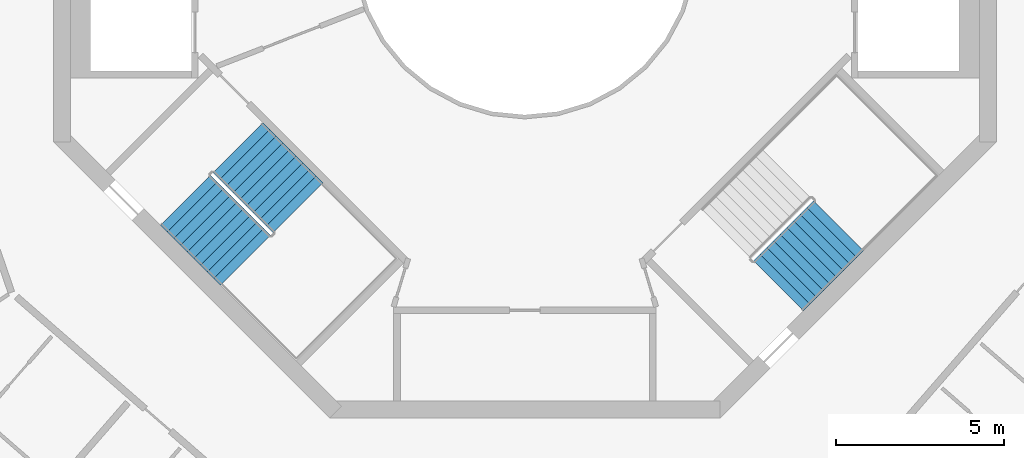
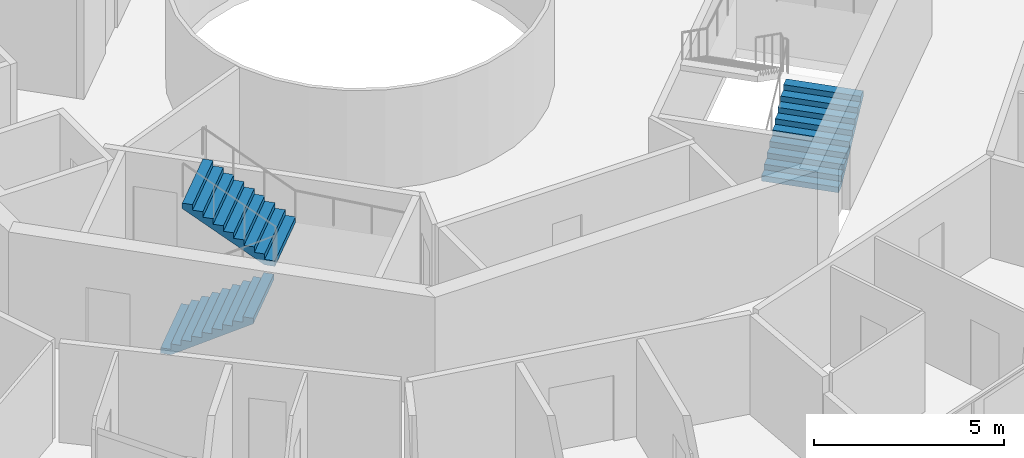
# One storey, part 20 of 22: 3 stair flights, 2 elements without a shape of their own.
"""IFC4 building model written with IfcOpenShell, lengths in metres."""

from ifc_helpers import new_model, si_unit, direction, frame, origin, place, context, subcontext, project, spatial, triangles, material, type_object, element, aggregate, save


model = new_model("IFC4")

# Units and contexts
model_context = context("Model", 3, precision=1e-05, world=origin(), true_north=direction((0.0, 1.0)))
body_context = subcontext(model_context, "Body", "Model", "MODEL_VIEW")
ifc_project = project(units=[si_unit("LENGTHUNIT", "METRE"), si_unit("AREAUNIT", "SQUARE_METRE"), si_unit("VOLUMEUNIT", "CUBIC_METRE"), si_unit("PLANEANGLEUNIT", "RADIAN"), si_unit("MASSUNIT", "GRAM", prefix="KILO")], contexts=[model_context])

# Site, building, storey
site_placement = place(None, origin())
site = spatial("IfcSite", under=ifc_project, at=site_placement, CompositionType="ELEMENT")
building_placement = place(site_placement, origin())
building = spatial("IfcBuilding", under=site, at=building_placement, Name="Verdalira Terraces Hotel", CompositionType="ELEMENT")
storey_placement = place(building_placement, frame((0.0, 0.0, 234.0)))
storey = spatial("IfcBuildingStorey", under=building, at=storey_placement, Name="L57", CompositionType="ELEMENT", Elevation=234.0)

# Stair, stair flights
ifc_material_1 = material(Name="Concrete C40", Category="concrete")
stair_type = type_object("IfcStairType", Name="Core stair 20 risers 2100 mm wide", PredefinedType="HALF_TURN_STAIR", material=ifc_material_1)
stair_1_placement = place(storey_placement, origin())
stair_1 = element("IfcStair", 1, at=stair_1_placement, inside=storey, type_object=stair_type, Name="L57 Exit stair ST2", PredefinedType="HALF_TURN_STAIR")
ifc_material_2 = material(Name="Concrete C40", Category="concrete")
stair_flight_type = type_object("IfcStairFlightType", Name="Core stair flight 20 risers 2100 mm wide", PredefinedType="STRAIGHT", material=ifc_material_2)
stair_flight_1_placement = place(storey_placement, frame((-10.076172, -7.530762, 0.0), z_axis=(0.0, 0.0, 1.0), x_axis=(0.707106781, -0.707106781, 0.0)))
stair_flight_1 = element("IfcStairFlight", 2, at=stair_flight_1_placement, type_object=stair_flight_type, Name="ST2 flight 1", NumberOfRisers=10, NumberOfTreads=9, PredefinedType="STRAIGHT", RiserHeight=0.175, TreadLength=0.28, context=body_context, shape_type="Tessellation", body=[
    triangles([(0.0, 1.050049, 0.0), (0.282715, 1.050049, 0.0), (2.52002, 1.050049, 1.398193), (0.0, -1.050049, 0.0), (0.282715, -1.050049, 0.0), (2.52002, -1.050049, 1.398193), (2.52002, 1.050049, 1.574951), (2.23999, 1.050049, 1.574951), (2.52002, -1.050049, 1.574951), (2.23999, -1.050049, 1.574951), (2.23999, 1.050049, 1.399902), (2.23999, -1.050049, 1.399902), (1.959961, 1.050049, 1.399902), (1.959961, -1.050049, 1.399902), (1.959961, 1.050049, 1.225098), (1.959961, -1.050049, 1.225098), (1.679932, 1.050049, 1.225098), (1.679932, 1.050049, 1.050049), (1.679932, -1.050049, 1.225098), (1.679932, -1.050049, 1.050049), (1.399902, 1.050049, 1.050049), (1.399902, 1.050049, 0.875), (1.399902, -1.050049, 1.050049), (1.399902, -1.050049, 0.875), (1.120117, 1.050049, 0.875), (1.120117, 1.050049, 0.699951), (1.120117, -1.050049, 0.875), (1.120117, -1.050049, 0.699951), (0.840088, 1.050049, 0.699951), (0.840088, 1.050049, 0.524902), (0.840088, -1.050049, 0.699951), (0.840088, -1.050049, 0.524902), (0.560059, 1.050049, 0.524902), (0.560059, 1.050049, 0.350098), (0.560059, -1.050049, 0.524902), (0.560059, -1.050049, 0.350098), (0.280029, 1.050049, 0.350098), (0.280029, 1.050049, 0.175049), (0.280029, -1.050049, 0.350098), (0.280029, -1.050049, 0.175049), (0.0, 1.050049, 0.175049), (0.0, -1.050049, 0.175049), (0.0, -0.984421, 0.0), (0.0, -0.984421, 0.175049), (0.0, -0.918793, 0.0), (0.0, -0.918793, 0.175049), (0.0, -0.853165, 0.0), (0.0, -0.853165, 0.175049), (0.0, -0.787537, 0.0), (0.0, -0.787537, 0.175049), (0.0, -0.721909, 0.0), (0.0, -0.721909, 0.175049), (0.0, -0.656281, 0.0), (0.0, -0.656281, 0.175049), (0.0, -0.590652, 0.0), (0.0, -0.590652, 0.175049), (0.0, -0.525024, 0.0), (0.0, -0.525024, 0.175049), (0.0, -0.459396, 0.0), (0.0, -0.459396, 0.175049), (0.0, -0.393768, 0.0), (0.0, -0.393768, 0.175049), (0.0, -0.32814, 0.0), (0.0, -0.32814, 0.175049), (0.0, -0.262512, 0.0), (0.0, -0.262512, 0.175049), (0.0, -0.196884, 0.0), (0.0, -0.196884, 0.175049), (0.0, -0.131256, 0.0), (0.0, -0.131256, 0.175049), (0.0, -0.065628, 0.0), (0.0, -0.065628, 0.175049), (0.0, 0.0, 0.0), (0.0, 0.0, 0.175049), (0.0, 0.065628, 0.0), (0.0, 0.065628, 0.175049), (0.0, 0.131256, 0.0), (0.0, 0.131256, 0.175049), (0.0, 0.196884, 0.0), (0.0, 0.196884, 0.175049), (0.0, 0.262512, 0.0), (0.0, 0.262512, 0.175049), (0.0, 0.32814, 0.0), (0.0, 0.32814, 0.175049), (0.0, 0.393768, 0.0), (0.0, 0.393768, 0.175049), (0.0, 0.459396, 0.0), (0.0, 0.459396, 0.175049), (0.0, 0.525024, 0.0), (0.0, 0.525024, 0.175049), (0.0, 0.590652, 0.0), (0.0, 0.590652, 0.175049), (0.0, 0.656281, 0.0), (0.0, 0.656281, 0.175049), (0.0, 0.721909, 0.0), (0.0, 0.721909, 0.175049), (0.0, 0.787537, 0.0), (0.0, 0.787537, 0.175049), (0.0, 0.853165, 0.0), (0.0, 0.853165, 0.175049), (0.0, 0.918793, 0.0), (0.0, 0.918793, 0.175049), (0.0, 0.984421, 0.0), (0.0, 0.984421, 0.175049), (2.52002, -0.984421, 1.574951), (2.52002, -0.918793, 1.574951), (2.52002, -0.853165, 1.574951), (2.52002, -0.787537, 1.574951), (2.52002, -0.721909, 1.574951), (2.52002, -0.656281, 1.574951), (2.52002, -0.590652, 1.574951), (2.52002, -0.525024, 1.574951), (2.52002, -0.459396, 1.574951), (2.52002, -0.393768, 1.574951), (2.52002, -0.32814, 1.574951), (2.52002, -0.262512, 1.574951), (2.52002, -0.196884, 1.574951), (2.52002, -0.131256, 1.574951), (2.52002, -0.065628, 1.574951), (2.52002, 0.0, 1.574951), (2.52002, 0.065628, 1.574951), (2.52002, 0.131256, 1.574951), (2.52002, 0.196884, 1.574951), (2.52002, 0.262512, 1.574951), (2.52002, 0.32814, 1.574951), (2.52002, 0.393768, 1.574951), (2.52002, 0.459396, 1.574951), (2.52002, 0.525024, 1.574951), (2.52002, 0.590652, 1.574951), (2.52002, 0.656281, 1.574951), (2.52002, 0.721909, 1.574951), (2.52002, 0.787537, 1.574951), (2.52002, 0.853165, 1.574951), (2.52002, 0.918793, 1.574951), (2.52002, 0.984421, 1.574951), (2.52002, -0.984421, 1.398193), (2.52002, -0.918793, 1.398193), (2.52002, -0.853165, 1.398193), (2.52002, -0.787537, 1.398193), (2.52002, -0.721909, 1.398193), (2.52002, -0.656281, 1.398193), (2.52002, -0.590652, 1.398193), (2.52002, -0.525024, 1.398193), (2.52002, -0.459396, 1.398193), (2.52002, -0.393768, 1.398193), (2.52002, -0.32814, 1.398193), (2.52002, -0.262512, 1.398193), (2.52002, -0.196884, 1.398193), (2.52002, -0.131256, 1.398193), (2.52002, -0.065628, 1.398193), (2.52002, 0.0, 1.398193), (2.52002, 0.065628, 1.398193), (2.52002, 0.131256, 1.398193), (2.52002, 0.196884, 1.398193), (2.52002, 0.262512, 1.398193), (2.52002, 0.32814, 1.398193), (2.52002, 0.393768, 1.398193), (2.52002, 0.459396, 1.398193), (2.52002, 0.525024, 1.398193), (2.52002, 0.590652, 1.398193), (2.52002, 0.656281, 1.398193), (2.52002, 0.721909, 1.398193), (2.52002, 0.787537, 1.398193), (2.52002, 0.853165, 1.398193), (2.52002, 0.918793, 1.398193), (2.52002, 0.984421, 1.398193)], [[1, 3, 2], [4, 5, 6], [3, 8, 7], [6, 9, 10], [3, 11, 8], [6, 10, 12], [3, 13, 11], [6, 12, 14], [3, 15, 13], [6, 14, 16], [15, 18, 17], [16, 19, 20], [3, 18, 15], [6, 16, 20], [18, 22, 21], [20, 23, 24], [3, 22, 18], [6, 20, 24], [22, 26, 25], [24, 27, 28], [3, 26, 22], [6, 24, 28], [26, 30, 29], [28, 31, 32], [3, 30, 26], [6, 28, 32], [1, 30, 3], [4, 6, 32], [30, 34, 33], [32, 35, 36], [34, 38, 37], [36, 39, 40], [30, 38, 34], [32, 36, 40], [1, 38, 30], [4, 32, 40], [38, 1, 41], [40, 42, 4], [4, 44, 43], [4, 42, 44], [43, 46, 45], [43, 44, 46], [45, 48, 47], [45, 46, 48], [47, 50, 49], [47, 48, 50], [49, 52, 51], [49, 50, 52], [51, 54, 53], [51, 52, 54], [53, 56, 55], [53, 54, 56], [55, 58, 57], [55, 56, 58], [57, 60, 59], [57, 58, 60], [59, 62, 61], [59, 60, 62], [61, 64, 63], [61, 62, 64], [63, 66, 65], [63, 64, 66], [65, 68, 67], [65, 66, 68], [67, 70, 69], [67, 68, 70], [69, 72, 71], [69, 70, 72], [71, 74, 73], [71, 72, 74], [73, 76, 75], [73, 74, 76], [75, 78, 77], [75, 76, 78], [77, 80, 79], [77, 78, 80], [79, 82, 81], [79, 80, 82], [81, 84, 83], [81, 82, 84], [83, 86, 85], [83, 84, 86], [85, 88, 87], [85, 86, 88], [87, 90, 89], [87, 88, 90], [89, 92, 91], [89, 90, 92], [91, 94, 93], [91, 92, 94], [93, 96, 95], [93, 94, 96], [95, 98, 97], [95, 96, 98], [97, 100, 99], [97, 98, 100], [99, 102, 101], [99, 100, 102], [101, 104, 103], [101, 102, 104], [103, 41, 1], [103, 104, 41], [42, 40, 44], [44, 40, 46], [46, 40, 48], [48, 40, 50], [50, 40, 52], [52, 40, 54], [54, 40, 56], [56, 40, 58], [58, 40, 60], [60, 40, 62], [62, 40, 64], [64, 40, 66], [66, 40, 68], [68, 40, 70], [70, 40, 72], [72, 40, 74], [74, 40, 76], [76, 40, 78], [78, 40, 80], [80, 40, 82], [82, 40, 84], [84, 40, 86], [86, 40, 88], [88, 40, 90], [90, 40, 92], [92, 40, 94], [94, 40, 96], [96, 40, 98], [98, 40, 100], [100, 40, 102], [102, 40, 104], [104, 40, 41], [41, 40, 38], [40, 37, 38], [40, 39, 37], [39, 34, 37], [39, 36, 34], [36, 33, 34], [36, 35, 33], [35, 30, 33], [35, 32, 30], [32, 29, 30], [32, 31, 29], [31, 26, 29], [31, 28, 26], [28, 25, 26], [28, 27, 25], [27, 22, 25], [27, 24, 22], [24, 21, 22], [24, 23, 21], [23, 18, 21], [23, 20, 18], [20, 17, 18], [20, 19, 17], [19, 15, 17], [19, 16, 15], [16, 13, 15], [16, 14, 13], [14, 11, 13], [14, 12, 11], [12, 8, 11], [12, 10, 8], [9, 105, 10], [105, 106, 10], [106, 107, 10], [107, 108, 10], [108, 109, 10], [109, 110, 10], [110, 111, 10], [111, 112, 10], [112, 113, 10], [113, 114, 10], [114, 115, 10], [115, 116, 10], [116, 117, 10], [117, 118, 10], [118, 119, 10], [119, 120, 10], [120, 121, 10], [121, 122, 10], [122, 123, 10], [123, 124, 10], [124, 125, 10], [125, 126, 10], [126, 127, 10], [127, 128, 10], [128, 129, 10], [129, 130, 10], [130, 131, 10], [131, 132, 10], [132, 133, 10], [133, 134, 10], [134, 135, 10], [135, 7, 10], [7, 8, 10], [9, 136, 105], [9, 6, 136], [105, 137, 106], [105, 136, 137], [106, 138, 107], [106, 137, 138], [107, 139, 108], [107, 138, 139], [108, 140, 109], [108, 139, 140], [109, 141, 110], [109, 140, 141], [110, 142, 111], [110, 141, 142], [111, 143, 112], [111, 142, 143], [112, 144, 113], [112, 143, 144], [113, 145, 114], [113, 144, 145], [114, 146, 115], [114, 145, 146], [115, 147, 116], [115, 146, 147], [116, 148, 117], [116, 147, 148], [117, 149, 118], [117, 148, 149], [118, 150, 119], [118, 149, 150], [119, 151, 120], [119, 150, 151], [120, 152, 121], [120, 151, 152], [121, 153, 122], [121, 152, 153], [122, 154, 123], [122, 153, 154], [123, 155, 124], [123, 154, 155], [124, 156, 125], [124, 155, 156], [125, 157, 126], [125, 156, 157], [126, 158, 127], [126, 157, 158], [127, 159, 128], [127, 158, 159], [128, 160, 129], [128, 159, 160], [129, 161, 130], [129, 160, 161], [130, 162, 131], [130, 161, 162], [131, 163, 132], [131, 162, 163], [132, 164, 133], [132, 163, 164], [133, 165, 134], [133, 164, 165], [134, 166, 135], [134, 165, 166], [135, 3, 7], [135, 166, 3], [6, 5, 136], [136, 5, 137], [137, 5, 138], [138, 5, 139], [139, 5, 140], [140, 5, 141], [141, 5, 142], [142, 5, 143], [143, 5, 144], [144, 5, 145], [145, 5, 146], [146, 5, 147], [147, 5, 148], [148, 5, 149], [149, 5, 150], [150, 5, 151], [151, 5, 152], [152, 5, 153], [153, 5, 154], [154, 5, 155], [155, 5, 156], [156, 5, 157], [157, 5, 158], [158, 5, 159], [159, 5, 160], [160, 5, 161], [161, 5, 162], [162, 5, 163], [163, 5, 164], [164, 5, 165], [165, 5, 166], [166, 5, 3], [3, 5, 2], [4, 43, 5], [43, 45, 5], [45, 47, 5], [47, 49, 5], [49, 51, 5], [51, 53, 5], [53, 55, 5], [55, 57, 5], [57, 59, 5], [59, 61, 5], [61, 63, 5], [63, 65, 5], [65, 67, 5], [67, 69, 5], [69, 71, 5], [71, 73, 5], [73, 75, 5], [75, 77, 5], [77, 79, 5], [79, 81, 5], [81, 83, 5], [83, 85, 5], [85, 87, 5], [87, 89, 5], [89, 91, 5], [91, 93, 5], [93, 95, 5], [95, 97, 5], [97, 99, 5], [99, 101, 5], [101, 103, 5], [103, 1, 5], [1, 2, 5]], closed=True),
])
stair_flight_2_placement = place(storey_placement, frame((-6.73877, -7.75708, 1.75), z_axis=(0.0, 0.0, 1.0), x_axis=(-0.707106781, 0.707106781, 0.0)))
stair_flight_2 = element("IfcStairFlight", 3, at=stair_flight_2_placement, type_object=stair_flight_type, Name="ST2 flight 2", NumberOfRisers=10, NumberOfTreads=9, PredefinedType="STRAIGHT", RiserHeight=0.175, TreadLength=0.28, context=body_context, shape_type="Tessellation", body=[
    triangles([(0.0, 1.050049, 0.0), (0.282715, 1.050049, 0.0), (2.52002, 1.050049, 1.398193), (0.0, -1.050049, 0.0), (0.282715, -1.050049, 0.0), (2.52002, -1.050049, 1.398193), (2.52002, 1.050049, 1.574951), (2.23999, 1.050049, 1.574951), (2.52002, -1.050049, 1.574951), (2.23999, -1.050049, 1.574951), (2.23999, 1.050049, 1.399902), (2.23999, -1.050049, 1.399902), (1.959961, 1.050049, 1.399902), (1.959961, -1.050049, 1.399902), (1.959961, 1.050049, 1.225098), (1.959961, -1.050049, 1.225098), (1.679932, 1.050049, 1.225098), (1.679932, 1.050049, 1.050049), (1.679932, -1.050049, 1.225098), (1.679932, -1.050049, 1.050049), (1.399902, 1.050049, 1.050049), (1.399902, 1.050049, 0.875), (1.399902, -1.050049, 1.050049), (1.399902, -1.050049, 0.875), (1.120117, 1.050049, 0.875), (1.120117, 1.050049, 0.699951), (1.120117, -1.050049, 0.875), (1.120117, -1.050049, 0.699951), (0.840088, 1.050049, 0.699951), (0.840088, 1.050049, 0.524902), (0.840088, -1.050049, 0.699951), (0.840088, -1.050049, 0.524902), (0.560059, 1.050049, 0.524902), (0.560059, 1.050049, 0.350098), (0.560059, -1.050049, 0.524902), (0.560059, -1.050049, 0.350098), (0.280029, 1.050049, 0.350098), (0.280029, 1.050049, 0.175049), (0.280029, -1.050049, 0.350098), (0.280029, -1.050049, 0.175049), (0.0, 1.050049, 0.175049), (0.0, -1.050049, 0.175049), (0.0, -0.984421, 0.0), (0.0, -0.984421, 0.175049), (0.0, -0.918793, 0.0), (0.0, -0.918793, 0.175049), (0.0, -0.853165, 0.0), (0.0, -0.853165, 0.175049), (0.0, -0.787537, 0.0), (0.0, -0.787537, 0.175049), (0.0, -0.721909, 0.0), (0.0, -0.721909, 0.175049), (0.0, -0.656281, 0.0), (0.0, -0.656281, 0.175049), (0.0, -0.590652, 0.0), (0.0, -0.590652, 0.175049), (0.0, -0.525024, 0.0), (0.0, -0.525024, 0.175049), (0.0, -0.459396, 0.0), (0.0, -0.459396, 0.175049), (0.0, -0.393768, 0.0), (0.0, -0.393768, 0.175049), (0.0, -0.32814, 0.0), (0.0, -0.32814, 0.175049), (0.0, -0.262512, 0.0), (0.0, -0.262512, 0.175049), (0.0, -0.196884, 0.0), (0.0, -0.196884, 0.175049), (0.0, -0.131256, 0.0), (0.0, -0.131256, 0.175049), (0.0, -0.065628, 0.0), (0.0, -0.065628, 0.175049), (0.0, 0.0, 0.0), (0.0, 0.0, 0.175049), (0.0, 0.065628, 0.0), (0.0, 0.065628, 0.175049), (0.0, 0.131256, 0.0), (0.0, 0.131256, 0.175049), (0.0, 0.196884, 0.0), (0.0, 0.196884, 0.175049), (0.0, 0.262512, 0.0), (0.0, 0.262512, 0.175049), (0.0, 0.32814, 0.0), (0.0, 0.32814, 0.175049), (0.0, 0.393768, 0.0), (0.0, 0.393768, 0.175049), (0.0, 0.459396, 0.0), (0.0, 0.459396, 0.175049), (0.0, 0.525024, 0.0), (0.0, 0.525024, 0.175049), (0.0, 0.590652, 0.0), (0.0, 0.590652, 0.175049), (0.0, 0.656281, 0.0), (0.0, 0.656281, 0.175049), (0.0, 0.721909, 0.0), (0.0, 0.721909, 0.175049), (0.0, 0.787537, 0.0), (0.0, 0.787537, 0.175049), (0.0, 0.853165, 0.0), (0.0, 0.853165, 0.175049), (0.0, 0.918793, 0.0), (0.0, 0.918793, 0.175049), (0.0, 0.984421, 0.0), (0.0, 0.984421, 0.175049), (2.52002, -0.984421, 1.574951), (2.52002, -0.918793, 1.574951), (2.52002, -0.853165, 1.574951), (2.52002, -0.787537, 1.574951), (2.52002, -0.721909, 1.574951), (2.52002, -0.656281, 1.574951), (2.52002, -0.590652, 1.574951), (2.52002, -0.525024, 1.574951), (2.52002, -0.459396, 1.574951), (2.52002, -0.393768, 1.574951), (2.52002, -0.32814, 1.574951), (2.52002, -0.262512, 1.574951), (2.52002, -0.196884, 1.574951), (2.52002, -0.131256, 1.574951), (2.52002, -0.065628, 1.574951), (2.52002, 0.0, 1.574951), (2.52002, 0.065628, 1.574951), (2.52002, 0.131256, 1.574951), (2.52002, 0.196884, 1.574951), (2.52002, 0.262512, 1.574951), (2.52002, 0.32814, 1.574951), (2.52002, 0.393768, 1.574951), (2.52002, 0.459396, 1.574951), (2.52002, 0.525024, 1.574951), (2.52002, 0.590652, 1.574951), (2.52002, 0.656281, 1.574951), (2.52002, 0.721909, 1.574951), (2.52002, 0.787537, 1.574951), (2.52002, 0.853165, 1.574951), (2.52002, 0.918793, 1.574951), (2.52002, 0.984421, 1.574951), (2.52002, -0.984421, 1.398193), (2.52002, -0.918793, 1.398193), (2.52002, -0.853165, 1.398193), (2.52002, -0.787537, 1.398193), (2.52002, -0.721909, 1.398193), (2.52002, -0.656281, 1.398193), (2.52002, -0.590652, 1.398193), (2.52002, -0.525024, 1.398193), (2.52002, -0.459396, 1.398193), (2.52002, -0.393768, 1.398193), (2.52002, -0.32814, 1.398193), (2.52002, -0.262512, 1.398193), (2.52002, -0.196884, 1.398193), (2.52002, -0.131256, 1.398193), (2.52002, -0.065628, 1.398193), (2.52002, 0.0, 1.398193), (2.52002, 0.065628, 1.398193), (2.52002, 0.131256, 1.398193), (2.52002, 0.196884, 1.398193), (2.52002, 0.262512, 1.398193), (2.52002, 0.32814, 1.398193), (2.52002, 0.393768, 1.398193), (2.52002, 0.459396, 1.398193), (2.52002, 0.525024, 1.398193), (2.52002, 0.590652, 1.398193), (2.52002, 0.656281, 1.398193), (2.52002, 0.721909, 1.398193), (2.52002, 0.787537, 1.398193), (2.52002, 0.853165, 1.398193), (2.52002, 0.918793, 1.398193), (2.52002, 0.984421, 1.398193)], [[1, 3, 2], [4, 5, 6], [3, 8, 7], [6, 9, 10], [3, 11, 8], [6, 10, 12], [3, 13, 11], [6, 12, 14], [3, 15, 13], [6, 14, 16], [15, 18, 17], [16, 19, 20], [3, 18, 15], [6, 16, 20], [18, 22, 21], [20, 23, 24], [3, 22, 18], [6, 20, 24], [22, 26, 25], [24, 27, 28], [3, 26, 22], [6, 24, 28], [26, 30, 29], [28, 31, 32], [3, 30, 26], [6, 28, 32], [1, 30, 3], [4, 6, 32], [30, 34, 33], [32, 35, 36], [34, 38, 37], [36, 39, 40], [30, 38, 34], [32, 36, 40], [1, 38, 30], [4, 32, 40], [38, 1, 41], [40, 42, 4], [4, 44, 43], [4, 42, 44], [43, 46, 45], [43, 44, 46], [45, 48, 47], [45, 46, 48], [47, 50, 49], [47, 48, 50], [49, 52, 51], [49, 50, 52], [51, 54, 53], [51, 52, 54], [53, 56, 55], [53, 54, 56], [55, 58, 57], [55, 56, 58], [57, 60, 59], [57, 58, 60], [59, 62, 61], [59, 60, 62], [61, 64, 63], [61, 62, 64], [63, 66, 65], [63, 64, 66], [65, 68, 67], [65, 66, 68], [67, 70, 69], [67, 68, 70], [69, 72, 71], [69, 70, 72], [71, 74, 73], [71, 72, 74], [73, 76, 75], [73, 74, 76], [75, 78, 77], [75, 76, 78], [77, 80, 79], [77, 78, 80], [79, 82, 81], [79, 80, 82], [81, 84, 83], [81, 82, 84], [83, 86, 85], [83, 84, 86], [85, 88, 87], [85, 86, 88], [87, 90, 89], [87, 88, 90], [89, 92, 91], [89, 90, 92], [91, 94, 93], [91, 92, 94], [93, 96, 95], [93, 94, 96], [95, 98, 97], [95, 96, 98], [97, 100, 99], [97, 98, 100], [99, 102, 101], [99, 100, 102], [101, 104, 103], [101, 102, 104], [103, 41, 1], [103, 104, 41], [42, 40, 44], [44, 40, 46], [46, 40, 48], [48, 40, 50], [50, 40, 52], [52, 40, 54], [54, 40, 56], [56, 40, 58], [58, 40, 60], [60, 40, 62], [62, 40, 64], [64, 40, 66], [66, 40, 68], [68, 40, 70], [70, 40, 72], [72, 40, 74], [74, 40, 76], [76, 40, 78], [78, 40, 80], [80, 40, 82], [82, 40, 84], [84, 40, 86], [86, 40, 88], [88, 40, 90], [90, 40, 92], [92, 40, 94], [94, 40, 96], [96, 40, 98], [98, 40, 100], [100, 40, 102], [102, 40, 104], [104, 40, 41], [41, 40, 38], [40, 37, 38], [40, 39, 37], [39, 34, 37], [39, 36, 34], [36, 33, 34], [36, 35, 33], [35, 30, 33], [35, 32, 30], [32, 29, 30], [32, 31, 29], [31, 26, 29], [31, 28, 26], [28, 25, 26], [28, 27, 25], [27, 22, 25], [27, 24, 22], [24, 21, 22], [24, 23, 21], [23, 18, 21], [23, 20, 18], [20, 17, 18], [20, 19, 17], [19, 15, 17], [19, 16, 15], [16, 13, 15], [16, 14, 13], [14, 11, 13], [14, 12, 11], [12, 8, 11], [12, 10, 8], [9, 105, 10], [105, 106, 10], [106, 107, 10], [107, 108, 10], [108, 109, 10], [109, 110, 10], [110, 111, 10], [111, 112, 10], [112, 113, 10], [113, 114, 10], [114, 115, 10], [115, 116, 10], [116, 117, 10], [117, 118, 10], [118, 119, 10], [119, 120, 10], [120, 121, 10], [121, 122, 10], [122, 123, 10], [123, 124, 10], [124, 125, 10], [125, 126, 10], [126, 127, 10], [127, 128, 10], [128, 129, 10], [129, 130, 10], [130, 131, 10], [131, 132, 10], [132, 133, 10], [133, 134, 10], [134, 135, 10], [135, 7, 10], [7, 8, 10], [9, 136, 105], [9, 6, 136], [105, 137, 106], [105, 136, 137], [106, 138, 107], [106, 137, 138], [107, 139, 108], [107, 138, 139], [108, 140, 109], [108, 139, 140], [109, 141, 110], [109, 140, 141], [110, 142, 111], [110, 141, 142], [111, 143, 112], [111, 142, 143], [112, 144, 113], [112, 143, 144], [113, 145, 114], [113, 144, 145], [114, 146, 115], [114, 145, 146], [115, 147, 116], [115, 146, 147], [116, 148, 117], [116, 147, 148], [117, 149, 118], [117, 148, 149], [118, 150, 119], [118, 149, 150], [119, 151, 120], [119, 150, 151], [120, 152, 121], [120, 151, 152], [121, 153, 122], [121, 152, 153], [122, 154, 123], [122, 153, 154], [123, 155, 124], [123, 154, 155], [124, 156, 125], [124, 155, 156], [125, 157, 126], [125, 156, 157], [126, 158, 127], [126, 157, 158], [127, 159, 128], [127, 158, 159], [128, 160, 129], [128, 159, 160], [129, 161, 130], [129, 160, 161], [130, 162, 131], [130, 161, 162], [131, 163, 132], [131, 162, 163], [132, 164, 133], [132, 163, 164], [133, 165, 134], [133, 164, 165], [134, 166, 135], [134, 165, 166], [135, 3, 7], [135, 166, 3], [6, 5, 136], [136, 5, 137], [137, 5, 138], [138, 5, 139], [139, 5, 140], [140, 5, 141], [141, 5, 142], [142, 5, 143], [143, 5, 144], [144, 5, 145], [145, 5, 146], [146, 5, 147], [147, 5, 148], [148, 5, 149], [149, 5, 150], [150, 5, 151], [151, 5, 152], [152, 5, 153], [153, 5, 154], [154, 5, 155], [155, 5, 156], [156, 5, 157], [157, 5, 158], [158, 5, 159], [159, 5, 160], [160, 5, 161], [161, 5, 162], [162, 5, 163], [163, 5, 164], [164, 5, 165], [165, 5, 166], [166, 5, 3], [3, 5, 2], [4, 43, 5], [43, 45, 5], [45, 47, 5], [47, 49, 5], [49, 51, 5], [51, 53, 5], [53, 55, 5], [55, 57, 5], [57, 59, 5], [59, 61, 5], [61, 63, 5], [63, 65, 5], [65, 67, 5], [67, 69, 5], [69, 71, 5], [71, 73, 5], [73, 75, 5], [75, 77, 5], [77, 79, 5], [79, 81, 5], [81, 83, 5], [83, 85, 5], [85, 87, 5], [87, 89, 5], [89, 91, 5], [91, 93, 5], [93, 95, 5], [95, 97, 5], [97, 99, 5], [99, 101, 5], [101, 103, 5], [103, 1, 5], [1, 2, 5]], closed=True),
])
aggregate(stair_1, [stair_flight_1, stair_flight_2])

# Stair, stair flight
stair_2_placement = place(storey_placement, origin())
stair_2 = element("IfcStair", 4, at=stair_2_placement, inside=storey, type_object=stair_type, Name="L57 Exit stair ST3", PredefinedType="HALF_TURN_STAIR")
stair_flight_3_placement = place(storey_placement, frame((7.530762, -10.076172, 0.0), z_axis=(0.0, 0.0, 1.0), x_axis=(0.707106781, 0.707106781, 0.0)))
stair_flight_3 = element("IfcStairFlight", 5, at=stair_flight_3_placement, type_object=stair_flight_type, Name="ST3 flight 1", NumberOfRisers=10, NumberOfTreads=9, PredefinedType="STRAIGHT", RiserHeight=0.175, TreadLength=0.28, context=body_context, shape_type="Tessellation", body=[
    triangles([(0.0, 1.050049, 0.0), (0.282715, 1.050049, 0.0), (2.52002, 1.050049, 1.398193), (0.0, -1.050049, 0.0), (0.282715, -1.050049, 0.0), (2.52002, -1.050049, 1.398193), (2.52002, 1.050049, 1.574951), (2.23999, 1.050049, 1.574951), (2.52002, -1.050049, 1.574951), (2.23999, -1.050049, 1.574951), (2.23999, 1.050049, 1.399902), (2.23999, -1.050049, 1.399902), (1.959961, 1.050049, 1.399902), (1.959961, -1.050049, 1.399902), (1.959961, 1.050049, 1.225098), (1.959961, -1.050049, 1.225098), (1.679932, 1.050049, 1.225098), (1.679932, 1.050049, 1.050049), (1.679932, -1.050049, 1.225098), (1.679932, -1.050049, 1.050049), (1.399902, 1.050049, 1.050049), (1.399902, 1.050049, 0.875), (1.399902, -1.050049, 1.050049), (1.399902, -1.050049, 0.875), (1.120117, 1.050049, 0.875), (1.120117, 1.050049, 0.699951), (1.120117, -1.050049, 0.875), (1.120117, -1.050049, 0.699951), (0.840088, 1.050049, 0.699951), (0.840088, 1.050049, 0.524902), (0.840088, -1.050049, 0.699951), (0.840088, -1.050049, 0.524902), (0.560059, 1.050049, 0.524902), (0.560059, 1.050049, 0.350098), (0.560059, -1.050049, 0.524902), (0.560059, -1.050049, 0.350098), (0.280029, 1.050049, 0.350098), (0.280029, 1.050049, 0.175049), (0.280029, -1.050049, 0.350098), (0.280029, -1.050049, 0.175049), (0.0, 1.050049, 0.175049), (0.0, -1.050049, 0.175049), (0.0, -0.984421, 0.0), (0.0, -0.984421, 0.175049), (0.0, -0.918793, 0.0), (0.0, -0.918793, 0.175049), (0.0, -0.853165, 0.0), (0.0, -0.853165, 0.175049), (0.0, -0.787537, 0.0), (0.0, -0.787537, 0.175049), (0.0, -0.721909, 0.0), (0.0, -0.721909, 0.175049), (0.0, -0.656281, 0.0), (0.0, -0.656281, 0.175049), (0.0, -0.590652, 0.0), (0.0, -0.590652, 0.175049), (0.0, -0.525024, 0.0), (0.0, -0.525024, 0.175049), (0.0, -0.459396, 0.0), (0.0, -0.459396, 0.175049), (0.0, -0.393768, 0.0), (0.0, -0.393768, 0.175049), (0.0, -0.32814, 0.0), (0.0, -0.32814, 0.175049), (0.0, -0.262512, 0.0), (0.0, -0.262512, 0.175049), (0.0, -0.196884, 0.0), (0.0, -0.196884, 0.175049), (0.0, -0.131256, 0.0), (0.0, -0.131256, 0.175049), (0.0, -0.065628, 0.0), (0.0, -0.065628, 0.175049), (0.0, 0.0, 0.0), (0.0, 0.0, 0.175049), (0.0, 0.065628, 0.0), (0.0, 0.065628, 0.175049), (0.0, 0.131256, 0.0), (0.0, 0.131256, 0.175049), (0.0, 0.196884, 0.0), (0.0, 0.196884, 0.175049), (0.0, 0.262512, 0.0), (0.0, 0.262512, 0.175049), (0.0, 0.32814, 0.0), (0.0, 0.32814, 0.175049), (0.0, 0.393768, 0.0), (0.0, 0.393768, 0.175049), (0.0, 0.459396, 0.0), (0.0, 0.459396, 0.175049), (0.0, 0.525024, 0.0), (0.0, 0.525024, 0.175049), (0.0, 0.590652, 0.0), (0.0, 0.590652, 0.175049), (0.0, 0.656281, 0.0), (0.0, 0.656281, 0.175049), (0.0, 0.721909, 0.0), (0.0, 0.721909, 0.175049), (0.0, 0.787537, 0.0), (0.0, 0.787537, 0.175049), (0.0, 0.853165, 0.0), (0.0, 0.853165, 0.175049), (0.0, 0.918793, 0.0), (0.0, 0.918793, 0.175049), (0.0, 0.984421, 0.0), (0.0, 0.984421, 0.175049), (2.52002, -0.984421, 1.574951), (2.52002, -0.918793, 1.574951), (2.52002, -0.853165, 1.574951), (2.52002, -0.787537, 1.574951), (2.52002, -0.721909, 1.574951), (2.52002, -0.656281, 1.574951), (2.52002, -0.590652, 1.574951), (2.52002, -0.525024, 1.574951), (2.52002, -0.459396, 1.574951), (2.52002, -0.393768, 1.574951), (2.52002, -0.32814, 1.574951), (2.52002, -0.262512, 1.574951), (2.52002, -0.196884, 1.574951), (2.52002, -0.131256, 1.574951), (2.52002, -0.065628, 1.574951), (2.52002, 0.0, 1.574951), (2.52002, 0.065628, 1.574951), (2.52002, 0.131256, 1.574951), (2.52002, 0.196884, 1.574951), (2.52002, 0.262512, 1.574951), (2.52002, 0.32814, 1.574951), (2.52002, 0.393768, 1.574951), (2.52002, 0.459396, 1.574951), (2.52002, 0.525024, 1.574951), (2.52002, 0.590652, 1.574951), (2.52002, 0.656281, 1.574951), (2.52002, 0.721909, 1.574951), (2.52002, 0.787537, 1.574951), (2.52002, 0.853165, 1.574951), (2.52002, 0.918793, 1.574951), (2.52002, 0.984421, 1.574951), (2.52002, -0.984421, 1.398193), (2.52002, -0.918793, 1.398193), (2.52002, -0.853165, 1.398193), (2.52002, -0.787537, 1.398193), (2.52002, -0.721909, 1.398193), (2.52002, -0.656281, 1.398193), (2.52002, -0.590652, 1.398193), (2.52002, -0.525024, 1.398193), (2.52002, -0.459396, 1.398193), (2.52002, -0.393768, 1.398193), (2.52002, -0.32814, 1.398193), (2.52002, -0.262512, 1.398193), (2.52002, -0.196884, 1.398193), (2.52002, -0.131256, 1.398193), (2.52002, -0.065628, 1.398193), (2.52002, 0.0, 1.398193), (2.52002, 0.065628, 1.398193), (2.52002, 0.131256, 1.398193), (2.52002, 0.196884, 1.398193), (2.52002, 0.262512, 1.398193), (2.52002, 0.32814, 1.398193), (2.52002, 0.393768, 1.398193), (2.52002, 0.459396, 1.398193), (2.52002, 0.525024, 1.398193), (2.52002, 0.590652, 1.398193), (2.52002, 0.656281, 1.398193), (2.52002, 0.721909, 1.398193), (2.52002, 0.787537, 1.398193), (2.52002, 0.853165, 1.398193), (2.52002, 0.918793, 1.398193), (2.52002, 0.984421, 1.398193)], [[1, 3, 2], [4, 5, 6], [3, 8, 7], [6, 9, 10], [3, 11, 8], [6, 10, 12], [3, 13, 11], [6, 12, 14], [3, 15, 13], [6, 14, 16], [15, 18, 17], [16, 19, 20], [3, 18, 15], [6, 16, 20], [18, 22, 21], [20, 23, 24], [3, 22, 18], [6, 20, 24], [22, 26, 25], [24, 27, 28], [3, 26, 22], [6, 24, 28], [26, 30, 29], [28, 31, 32], [3, 30, 26], [6, 28, 32], [1, 30, 3], [4, 6, 32], [30, 34, 33], [32, 35, 36], [34, 38, 37], [36, 39, 40], [30, 38, 34], [32, 36, 40], [1, 38, 30], [4, 32, 40], [38, 1, 41], [40, 42, 4], [4, 44, 43], [4, 42, 44], [43, 46, 45], [43, 44, 46], [45, 48, 47], [45, 46, 48], [47, 50, 49], [47, 48, 50], [49, 52, 51], [49, 50, 52], [51, 54, 53], [51, 52, 54], [53, 56, 55], [53, 54, 56], [55, 58, 57], [55, 56, 58], [57, 60, 59], [57, 58, 60], [59, 62, 61], [59, 60, 62], [61, 64, 63], [61, 62, 64], [63, 66, 65], [63, 64, 66], [65, 68, 67], [65, 66, 68], [67, 70, 69], [67, 68, 70], [69, 72, 71], [69, 70, 72], [71, 74, 73], [71, 72, 74], [73, 76, 75], [73, 74, 76], [75, 78, 77], [75, 76, 78], [77, 80, 79], [77, 78, 80], [79, 82, 81], [79, 80, 82], [81, 84, 83], [81, 82, 84], [83, 86, 85], [83, 84, 86], [85, 88, 87], [85, 86, 88], [87, 90, 89], [87, 88, 90], [89, 92, 91], [89, 90, 92], [91, 94, 93], [91, 92, 94], [93, 96, 95], [93, 94, 96], [95, 98, 97], [95, 96, 98], [97, 100, 99], [97, 98, 100], [99, 102, 101], [99, 100, 102], [101, 104, 103], [101, 102, 104], [103, 41, 1], [103, 104, 41], [42, 40, 44], [44, 40, 46], [46, 40, 48], [48, 40, 50], [50, 40, 52], [52, 40, 54], [54, 40, 56], [56, 40, 58], [58, 40, 60], [60, 40, 62], [62, 40, 64], [64, 40, 66], [66, 40, 68], [68, 40, 70], [70, 40, 72], [72, 40, 74], [74, 40, 76], [76, 40, 78], [78, 40, 80], [80, 40, 82], [82, 40, 84], [84, 40, 86], [86, 40, 88], [88, 40, 90], [90, 40, 92], [92, 40, 94], [94, 40, 96], [96, 40, 98], [98, 40, 100], [100, 40, 102], [102, 40, 104], [104, 40, 41], [41, 40, 38], [40, 37, 38], [40, 39, 37], [39, 34, 37], [39, 36, 34], [36, 33, 34], [36, 35, 33], [35, 30, 33], [35, 32, 30], [32, 29, 30], [32, 31, 29], [31, 26, 29], [31, 28, 26], [28, 25, 26], [28, 27, 25], [27, 22, 25], [27, 24, 22], [24, 21, 22], [24, 23, 21], [23, 18, 21], [23, 20, 18], [20, 17, 18], [20, 19, 17], [19, 15, 17], [19, 16, 15], [16, 13, 15], [16, 14, 13], [14, 11, 13], [14, 12, 11], [12, 8, 11], [12, 10, 8], [9, 105, 10], [105, 106, 10], [106, 107, 10], [107, 108, 10], [108, 109, 10], [109, 110, 10], [110, 111, 10], [111, 112, 10], [112, 113, 10], [113, 114, 10], [114, 115, 10], [115, 116, 10], [116, 117, 10], [117, 118, 10], [118, 119, 10], [119, 120, 10], [120, 121, 10], [121, 122, 10], [122, 123, 10], [123, 124, 10], [124, 125, 10], [125, 126, 10], [126, 127, 10], [127, 128, 10], [128, 129, 10], [129, 130, 10], [130, 131, 10], [131, 132, 10], [132, 133, 10], [133, 134, 10], [134, 135, 10], [135, 7, 10], [7, 8, 10], [9, 136, 105], [9, 6, 136], [105, 137, 106], [105, 136, 137], [106, 138, 107], [106, 137, 138], [107, 139, 108], [107, 138, 139], [108, 140, 109], [108, 139, 140], [109, 141, 110], [109, 140, 141], [110, 142, 111], [110, 141, 142], [111, 143, 112], [111, 142, 143], [112, 144, 113], [112, 143, 144], [113, 145, 114], [113, 144, 145], [114, 146, 115], [114, 145, 146], [115, 147, 116], [115, 146, 147], [116, 148, 117], [116, 147, 148], [117, 149, 118], [117, 148, 149], [118, 150, 119], [118, 149, 150], [119, 151, 120], [119, 150, 151], [120, 152, 121], [120, 151, 152], [121, 153, 122], [121, 152, 153], [122, 154, 123], [122, 153, 154], [123, 155, 124], [123, 154, 155], [124, 156, 125], [124, 155, 156], [125, 157, 126], [125, 156, 157], [126, 158, 127], [126, 157, 158], [127, 159, 128], [127, 158, 159], [128, 160, 129], [128, 159, 160], [129, 161, 130], [129, 160, 161], [130, 162, 131], [130, 161, 162], [131, 163, 132], [131, 162, 163], [132, 164, 133], [132, 163, 164], [133, 165, 134], [133, 164, 165], [134, 166, 135], [134, 165, 166], [135, 3, 7], [135, 166, 3], [6, 5, 136], [136, 5, 137], [137, 5, 138], [138, 5, 139], [139, 5, 140], [140, 5, 141], [141, 5, 142], [142, 5, 143], [143, 5, 144], [144, 5, 145], [145, 5, 146], [146, 5, 147], [147, 5, 148], [148, 5, 149], [149, 5, 150], [150, 5, 151], [151, 5, 152], [152, 5, 153], [153, 5, 154], [154, 5, 155], [155, 5, 156], [156, 5, 157], [157, 5, 158], [158, 5, 159], [159, 5, 160], [160, 5, 161], [161, 5, 162], [162, 5, 163], [163, 5, 164], [164, 5, 165], [165, 5, 166], [166, 5, 3], [3, 5, 2], [4, 43, 5], [43, 45, 5], [45, 47, 5], [47, 49, 5], [49, 51, 5], [51, 53, 5], [53, 55, 5], [55, 57, 5], [57, 59, 5], [59, 61, 5], [61, 63, 5], [63, 65, 5], [65, 67, 5], [67, 69, 5], [69, 71, 5], [71, 73, 5], [73, 75, 5], [75, 77, 5], [77, 79, 5], [79, 81, 5], [81, 83, 5], [83, 85, 5], [85, 87, 5], [87, 89, 5], [89, 91, 5], [91, 93, 5], [93, 95, 5], [95, 97, 5], [97, 99, 5], [99, 101, 5], [101, 103, 5], [103, 1, 5], [1, 2, 5]], closed=True),
])
aggregate(stair_2, [stair_flight_3])

save(model, "model.ifc")
